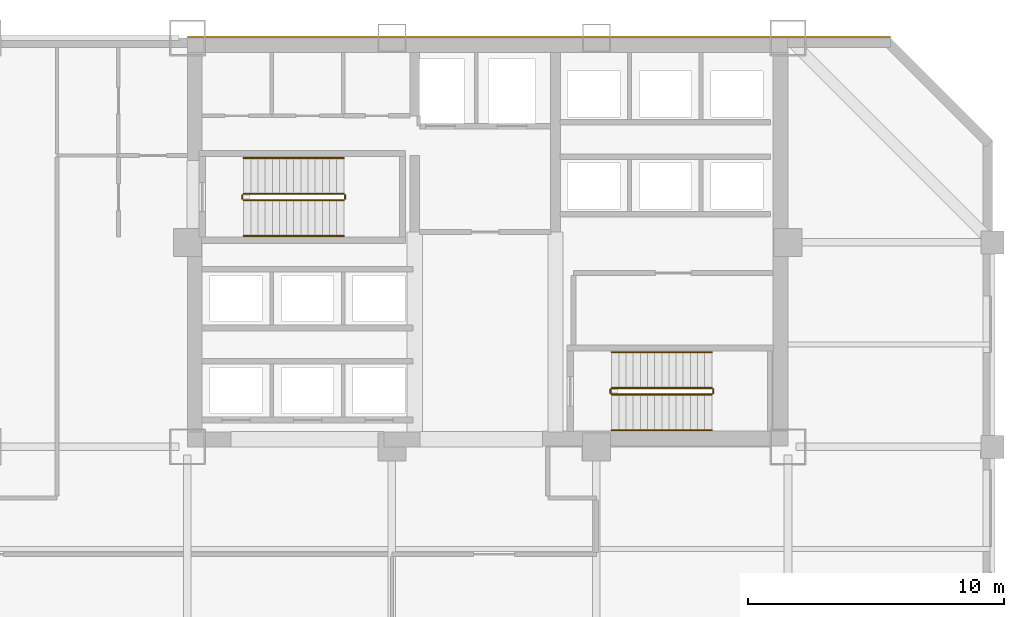
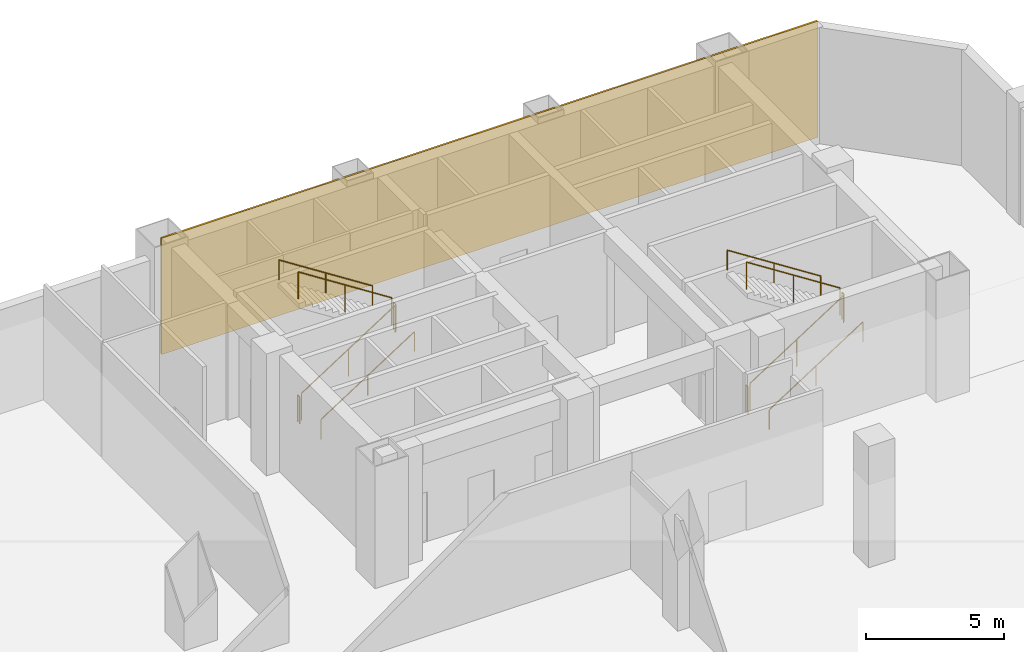
# One storey, part 9 of 9: 12 railings, 1 covering.
"""IFC4 building model written with IfcOpenShell, lengths in metres."""

from ifc_helpers import new_model, si_unit, direction, frame, origin, origin_2d, place, context, subcontext, project, spatial, rectangle, circle, extrude, material, layer, layer_set, type_object, element, save


model = new_model("IFC4")

# Units and contexts
model_context = context("Model", 3, precision=1e-05, world=origin(), true_north=direction((0.0, 1.0)))
body_context = subcontext(model_context, "Body", "Model", "MODEL_VIEW")
ifc_project = project(units=[si_unit("LENGTHUNIT", "METRE"), si_unit("AREAUNIT", "SQUARE_METRE"), si_unit("VOLUMEUNIT", "CUBIC_METRE"), si_unit("PLANEANGLEUNIT", "RADIAN"), si_unit("MASSUNIT", "GRAM", prefix="KILO")], contexts=[model_context])

# Site, building, storey
site_placement = place(None, origin())
site = spatial("IfcSite", under=ifc_project, at=site_placement, CompositionType="ELEMENT")
building_placement = place(site_placement, origin())
building = spatial("IfcBuilding", under=site, at=building_placement, Name="Qianrong Seaharbour Tower", CompositionType="ELEMENT")
storey_placement = place(building_placement, frame((0.0, 0.0, 22.800048828125)))
storey = spatial("IfcBuildingStorey", under=building, at=storey_placement, Name="L05", CompositionType="ELEMENT", Elevation=22.800048828125)

# Covering
ifc_material_1 = material(Name="Unitised red brick cladding on Precast concrete C45/55", Category="masonry")
ifc_layer = layer(ifc_material_1, 0.080078125)
ifc_layer_set = layer_set([ifc_layer], Name="Unitised red brick cladding on Precast concrete C45/55")
covering_type = type_object("IfcCoveringType", Name="COV-CLAD-RED-BRICK-80", PredefinedType="CLADDING", material=ifc_layer_set)
covering_placement = place(storey_placement, frame((54.25, 52.0400390625, 0.0), z_axis=(0.0, 0.0, 1.0), x_axis=(1.0, 0.0, 0.0)))
element("IfcCovering", 1, at=covering_placement, inside=storey, type_object=covering_type, Name="L05 North Core Brick Veneer Cladding", PredefinedType="CLADDING", context=body_context, shape_type="SweptSolid", body=[
    extrude(rectangle(XDim=27.5, YDim=0.080078125, at=origin_2d()), origin(), (0.0, 0.0, 1.0), 5.14990234375),
])

# Railings
ifc_material_2 = material(Name="Galvanized painted steel SN400B stair guard", Category="steel")
railing_type_1 = type_object("IfcRailingType", Name="RAIL-STAIR-GUARD-1220", PredefinedType="GUARDRAIL", material=ifc_material_2)
railing_1_placement = place(storey_placement, frame((42.699951171875, 45.64990234375, 0.179931640625)))
element("IfcRailing", 2, at=railing_1_placement, inside=storey, type_object=railing_type_1, Name="L05 ST-1 stair guard 1", PredefinedType="GUARDRAIL", context=body_context, shape_type="SweptSolid", body=[
    extrude(circle(Radius=0.02392578125, at=origin_2d()), frame((0.0, 0.0, 1.19580078125), z_axis=(0.841186985886, 0.0, 0.540744352514), x_axis=(0.0, 1.0, 0.0)), (0.0, 0.0, 1.0), 4.660400390625),
    extrude(circle(Radius=0.02099609375, at=origin_2d()), origin(), (0.0, 0.0, 1.0), 1.171875),
    extrude(circle(Radius=0.02099609375, at=origin_2d()), frame((1.9599609375, 0.0, 1.260009765625)), (0.0, 0.0, 1.0), 1.171875),
    extrude(circle(Radius=0.02099609375, at=origin_2d()), frame((3.920166015625, 0.0, 2.52001953125)), (0.0, 0.0, 1.0), 1.171875),
])
railing_2_placement = place(storey_placement, frame((46.669921875, 45.699951171875, 2.699951171875)))
element("IfcRailing", 3, at=railing_2_placement, inside=storey, type_object=railing_type_1, Name="L05 ST-1 stair guard 2", PredefinedType="GUARDRAIL", context=body_context, shape_type="SweptSolid", body=[
    extrude(circle(Radius=0.02392578125, at=origin_2d()), frame((0.0, 0.0, 1.19580078125), z_axis=(0.0, 1.0, 0.0), x_axis=(-1.0, 0.0, 0.0)), (0.0, 0.0, 1.0), 0.150146484375),
    extrude(circle(Radius=0.02099609375, at=origin_2d()), origin(), (0.0, 0.0, 1.0), 1.171875),
    extrude(circle(Radius=0.02099609375, at=origin_2d()), frame((0.0, 0.150146484375, 0.0)), (0.0, 0.0, 1.0), 1.171875),
])
railing_3_placement = place(storey_placement, frame((46.6201171875, 45.89990234375, 2.8798828125)))
element("IfcRailing", 4, at=railing_3_placement, inside=storey, type_object=railing_type_1, Name="L05 ST-1 stair guard 3", PredefinedType="GUARDRAIL", context=body_context, shape_type="SweptSolid", body=[
    extrude(circle(Radius=0.02392578125, at=origin_2d()), frame((0.0, 0.0, 1.19580078125), z_axis=(-0.841186985886, 0.0, 0.540744352514), x_axis=(0.0, -1.0, 0.0)), (0.0, 0.0, 1.0), 4.660400390625),
    extrude(circle(Radius=0.02099609375, at=origin_2d()), origin(), (0.0, 0.0, 1.0), 1.171875),
    extrude(circle(Radius=0.02099609375, at=origin_2d()), frame((-1.9599609375, 0.0, 1.260009765625)), (0.0, 0.0, 1.0), 1.171875),
    extrude(circle(Radius=0.02099609375, at=origin_2d()), frame((-3.920166015625, 0.0, 2.52001953125)), (0.0, 0.0, 1.0), 1.171875),
])
railing_4_placement = place(storey_placement, frame((42.64990234375, 45.699951171875, 0.0)))
element("IfcRailing", 5, at=railing_4_placement, inside=storey, type_object=railing_type_1, Name="L05 ST-1 stair guard 4", PredefinedType="GUARDRAIL", context=body_context, shape_type="SweptSolid", body=[
    extrude(circle(Radius=0.02392578125, at=origin_2d()), frame((0.0, 0.0, 1.19580078125), z_axis=(0.0, 1.0, 0.0), x_axis=(-1.0, 0.0, 0.0)), (0.0, 0.0, 1.0), 0.150146484375),
    extrude(circle(Radius=0.02099609375, at=origin_2d()), origin(), (0.0, 0.0, 1.0), 1.171875),
    extrude(circle(Radius=0.02099609375, at=origin_2d()), frame((0.0, 0.150146484375, 0.0)), (0.0, 0.0, 1.0), 1.171875),
])
railing_5_placement = place(storey_placement, frame((57.10009765625, 38.050048828125, 0.179931640625)))
element("IfcRailing", 6, at=railing_5_placement, inside=storey, type_object=railing_type_1, Name="L05 ST-2 stair guard 1", PredefinedType="GUARDRAIL", context=body_context, shape_type="SweptSolid", body=[
    extrude(circle(Radius=0.02392578125, at=origin_2d()), frame((0.0, 0.0, 1.19580078125), z_axis=(0.841171666519, 0.0, 0.540768182723), x_axis=(0.0, 1.0, 0.0)), (0.0, 0.0, 1.0), 4.66015625),
    extrude(circle(Radius=0.02099609375, at=origin_2d()), origin(), (0.0, 0.0, 1.0), 1.171875),
    extrude(circle(Radius=0.02099609375, at=origin_2d()), frame((1.9599609375, 0.0, 1.260009765625)), (0.0, 0.0, 1.0), 1.171875),
    extrude(circle(Radius=0.02099609375, at=origin_2d()), frame((3.919921875, 0.0, 2.52001953125)), (0.0, 0.0, 1.0), 1.171875),
])
railing_6_placement = place(storey_placement, frame((61.070068359375, 38.10009765625, 2.699951171875)))
element("IfcRailing", 7, at=railing_6_placement, inside=storey, type_object=railing_type_1, Name="L05 ST-2 stair guard 2", PredefinedType="GUARDRAIL", context=body_context, shape_type="SweptSolid", body=[
    extrude(circle(Radius=0.02392578125, at=origin_2d()), frame((0.0, 0.0, 1.19580078125), z_axis=(0.0, 1.0, 0.0), x_axis=(-1.0, 0.0, 0.0)), (0.0, 0.0, 1.0), 0.14990234375),
    extrude(circle(Radius=0.02099609375, at=origin_2d()), origin(), (0.0, 0.0, 1.0), 1.171875),
    extrude(circle(Radius=0.02099609375, at=origin_2d()), frame((0.0, 0.14990234375, 0.0)), (0.0, 0.0, 1.0), 1.171875),
])
railing_7_placement = place(storey_placement, frame((61.02001953125, 38.300048828125, 2.8798828125)))
element("IfcRailing", 8, at=railing_7_placement, inside=storey, type_object=railing_type_1, Name="L05 ST-2 stair guard 3", PredefinedType="GUARDRAIL", context=body_context, shape_type="SweptSolid", body=[
    extrude(circle(Radius=0.02392578125, at=origin_2d()), frame((0.0, 0.0, 1.19580078125), z_axis=(-0.841171666519, 0.0, 0.540768182723), x_axis=(0.0, -1.0, 0.0)), (0.0, 0.0, 1.0), 4.66015625),
    extrude(circle(Radius=0.02099609375, at=origin_2d()), origin(), (0.0, 0.0, 1.0), 1.171875),
    extrude(circle(Radius=0.02099609375, at=origin_2d()), frame((-1.9599609375, 0.0, 1.260009765625)), (0.0, 0.0, 1.0), 1.171875),
    extrude(circle(Radius=0.02099609375, at=origin_2d()), frame((-3.919921875, 0.0, 2.52001953125)), (0.0, 0.0, 1.0), 1.171875),
])
railing_8_placement = place(storey_placement, frame((57.050048828125, 38.10009765625, 0.0)))
element("IfcRailing", 9, at=railing_8_placement, inside=storey, type_object=railing_type_1, Name="L05 ST-2 stair guard 4", PredefinedType="GUARDRAIL", context=body_context, shape_type="SweptSolid", body=[
    extrude(circle(Radius=0.02392578125, at=origin_2d()), frame((0.0, 0.0, 1.19580078125), z_axis=(0.0, 1.0, 0.0), x_axis=(-1.0, 0.0, 0.0)), (0.0, 0.0, 1.0), 0.14990234375),
    extrude(circle(Radius=0.02099609375, at=origin_2d()), origin(), (0.0, 0.0, 1.0), 1.171875),
    extrude(circle(Radius=0.02099609375, at=origin_2d()), frame((0.0, 0.14990234375, 0.0)), (0.0, 0.0, 1.0), 1.171875),
])
ifc_material_3 = material(Name="Stainless steel SUS316L continuous handrail", Category="steel")
railing_type_2 = type_object("IfcRailingType", Name="RAIL-STAIR-HANDRAIL-900", PredefinedType="HANDRAIL", material=ifc_material_3)
railing_9_placement = place(storey_placement, frame((42.699951171875, 44.25, 0.179931640625)))
element("IfcRailing", 10, at=railing_9_placement, inside=storey, type_object=railing_type_2, Name="L05 ST-1 stair handrail 1", PredefinedType="HANDRAIL", context=body_context, shape_type="SweptSolid", body=[
    extrude(circle(Radius=0.02392578125, at=origin_2d()), frame((0.0, 0.0, 0.8759765625), z_axis=(0.841186985886, 0.0, 0.540744352514), x_axis=(0.0, 1.0, 0.0)), (0.0, 0.0, 1.0), 4.660400390625),
    extrude(circle(Radius=0.02099609375, at=origin_2d()), origin(), (0.0, 0.0, 1.0), 0.851806640625),
    extrude(circle(Radius=0.02099609375, at=origin_2d()), frame((1.9599609375, 0.0, 1.260009765625)), (0.0, 0.0, 1.0), 0.851806640625),
    extrude(circle(Radius=0.02099609375, at=origin_2d()), frame((3.920166015625, 0.0, 2.52001953125)), (0.0, 0.0, 1.0), 0.851806640625),
])
railing_10_placement = place(storey_placement, frame((46.6201171875, 47.300048828125, 2.8798828125)))
element("IfcRailing", 11, at=railing_10_placement, inside=storey, type_object=railing_type_2, Name="L05 ST-1 stair handrail 2", PredefinedType="HANDRAIL", context=body_context, shape_type="SweptSolid", body=[
    extrude(circle(Radius=0.02392578125, at=origin_2d()), frame((0.0, 0.0, 0.8759765625), z_axis=(-0.841186985886, 0.0, 0.540744352514), x_axis=(0.0, -1.0, 0.0)), (0.0, 0.0, 1.0), 4.660400390625),
    extrude(circle(Radius=0.02099609375, at=origin_2d()), origin(), (0.0, 0.0, 1.0), 0.851806640625),
    extrude(circle(Radius=0.02099609375, at=origin_2d()), frame((-1.9599609375, 0.0, 1.260009765625)), (0.0, 0.0, 1.0), 0.851806640625),
    extrude(circle(Radius=0.02099609375, at=origin_2d()), frame((-3.920166015625, 0.0, 2.52001953125)), (0.0, 0.0, 1.0), 0.851806640625),
])
railing_11_placement = place(storey_placement, frame((57.10009765625, 36.64990234375, 0.179931640625)))
element("IfcRailing", 12, at=railing_11_placement, inside=storey, type_object=railing_type_2, Name="L05 ST-2 stair handrail 1", PredefinedType="HANDRAIL", context=body_context, shape_type="SweptSolid", body=[
    extrude(circle(Radius=0.02392578125, at=origin_2d()), frame((0.0, 0.0, 0.8759765625), z_axis=(0.841171666519, 0.0, 0.540768182723), x_axis=(0.0, 1.0, 0.0)), (0.0, 0.0, 1.0), 4.66015625),
    extrude(circle(Radius=0.02099609375, at=origin_2d()), origin(), (0.0, 0.0, 1.0), 0.851806640625),
    extrude(circle(Radius=0.02099609375, at=origin_2d()), frame((1.9599609375, 0.0, 1.260009765625)), (0.0, 0.0, 1.0), 0.851806640625),
    extrude(circle(Radius=0.02099609375, at=origin_2d()), frame((3.919921875, 0.0, 2.52001953125)), (0.0, 0.0, 1.0), 0.851806640625),
])
railing_12_placement = place(storey_placement, frame((61.02001953125, 39.699951171875, 2.8798828125)))
element("IfcRailing", 13, at=railing_12_placement, inside=storey, type_object=railing_type_2, Name="L05 ST-2 stair handrail 2", PredefinedType="HANDRAIL", context=body_context, shape_type="SweptSolid", body=[
    extrude(circle(Radius=0.02392578125, at=origin_2d()), frame((0.0, 0.0, 0.8759765625), z_axis=(-0.841171666519, 0.0, 0.540768182723), x_axis=(0.0, -1.0, 0.0)), (0.0, 0.0, 1.0), 4.66015625),
    extrude(circle(Radius=0.02099609375, at=origin_2d()), origin(), (0.0, 0.0, 1.0), 0.851806640625),
    extrude(circle(Radius=0.02099609375, at=origin_2d()), frame((-1.9599609375, 0.0, 1.260009765625)), (0.0, 0.0, 1.0), 0.851806640625),
    extrude(circle(Radius=0.02099609375, at=origin_2d()), frame((-3.919921875, 0.0, 2.52001953125)), (0.0, 0.0, 1.0), 0.851806640625),
])

save(model, "model.ifc")
